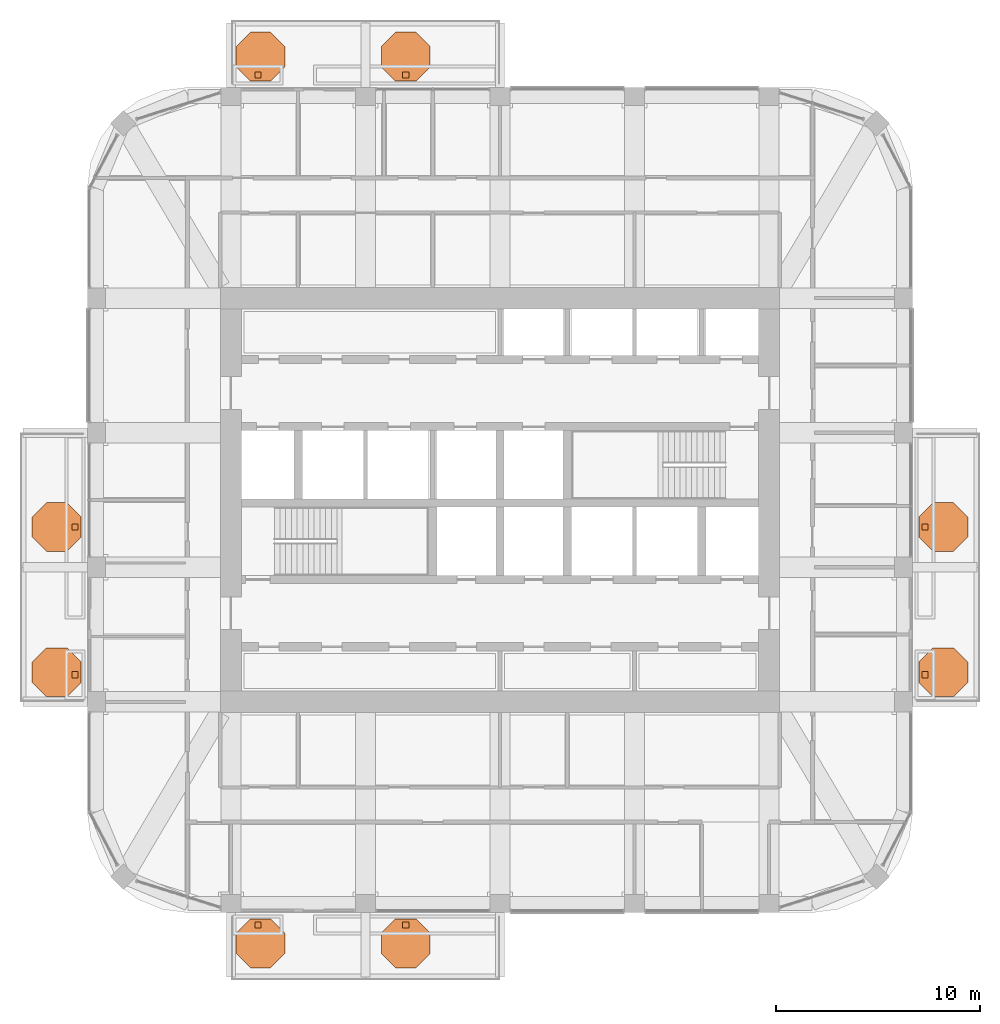
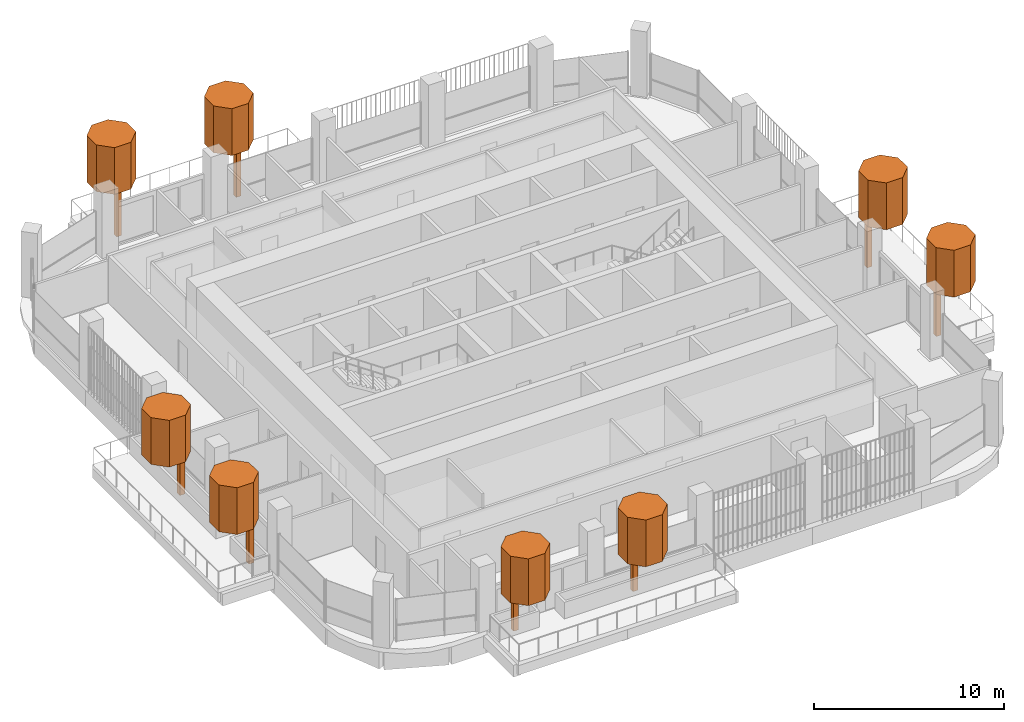
# One storey, part 20 of 20: 16 geographic elements.
"""IFC4 building model written with IfcOpenShell, lengths in metres."""

from ifc_helpers import new_model, si_unit, direction, frame, origin, origin_2d, place, context, subcontext, project, spatial, polyline, rectangle, outline, extrude, material, type_object, element, save


model = new_model("IFC4")

# Units and contexts
model_context = context("Model", 3, precision=1e-05, world=origin(), true_north=direction((0.0, 1.0)))
body_context = subcontext(model_context, "Body", "Model", "MODEL_VIEW")
ifc_project = project(units=[si_unit("LENGTHUNIT", "METRE"), si_unit("AREAUNIT", "SQUARE_METRE"), si_unit("VOLUMEUNIT", "CUBIC_METRE"), si_unit("PLANEANGLEUNIT", "RADIAN"), si_unit("MASSUNIT", "GRAM", prefix="KILO")], contexts=[model_context])

# Site, building, storey
site_placement = place(None, origin())
site = spatial("IfcSite", under=ifc_project, at=site_placement, CompositionType="ELEMENT")
building_placement = place(site_placement, origin())
building = spatial("IfcBuilding", under=site, at=building_placement, Name="Cobogo Forest Laboratory Tower", CompositionType="ELEMENT")
storey_placement = place(building_placement, frame((0.0, 0.0, 279.60009765625)))
storey = spatial("IfcBuildingStorey", under=building, at=storey_placement, Name="L64", CompositionType="ELEMENT", Elevation=279.60009765625)

# Geographic elements
ifc_material = material(Name="Planting", Category="plant")
geographic_element_type_1 = type_object("IfcGeographicElementType", Name="Tree trunk 300", PredefinedType="USERDEFINED", material=ifc_material)
for number, where, z_axis, x_axis, name in (
    (1, (14.52490234375, 2.25, 0.0), (0.0, 0.0, 1.0), (1.0, 0.0, 0.0), "Tree trunk BAL-S1-PL1 L64"),
    (2, (21.77490234375, 2.25, 0.0), (0.0, 0.0, 1.0), (1.0, 0.0, 0.0), "Tree trunk BAL-S1-PL2 L64"),
    (3, (47.25, 14.52490234375, 0.0), (0.0, 0.0, 1.0), (1.0, 0.0, 0.0), "Tree trunk BAL-E1-PL1 L64"),
    (4, (47.25, 21.77490234375, 0.0), (0.0, 0.0, 1.0), (1.0, 0.0, 0.0), "Tree trunk BAL-E1-PL2 L64"),
    (5, (14.52490234375, 43.949951171875, 0.0), (0.0, 0.0, 1.0), (1.0, 0.0, 0.0), "Tree trunk BAL-N1-PL1 L64"),
    (6, (21.77490234375, 43.949951171875, 0.0), (0.0, 0.0, 1.0), (1.0, 0.0, 0.0), "Tree trunk BAL-N1-PL2 L64"),
    (7, (5.550048828125, 14.52490234375, 0.0), (0.0, 0.0, 1.0), (1.0, 0.0, 0.0), "Tree trunk BAL-W1-PL1 L64"),
    (8, (5.550048828125, 21.77490234375, 0.0), (0.0, 0.0, 1.0), (1.0, 0.0, 0.0), "Tree trunk BAL-W1-PL2 L64"),
):
    element("IfcGeographicElement", number, at=place(storey_placement, frame(where, z_axis=z_axis, x_axis=x_axis)), inside=storey, type_object=geographic_element_type_1, Name=name, ObjectType="TREE TRUNK", PredefinedType="USERDEFINED", context=body_context, shape_type="SweptSolid", body=[
        extrude(rectangle(XDim=0.300048828125, YDim=0.300048828125, at=origin_2d()), origin(), (0.0, 0.0, 1.0), 2.89990234375),
    ])
geographic_element_type_2 = type_object("IfcGeographicElementType", Name="Tree, holm oak 5 m", PredefinedType="USERDEFINED", material=ifc_material)
geographic_element_1_placement = place(storey_placement, frame((0.0, 0.0, 2.89990234375)))
element("IfcGeographicElement", 9, at=geographic_element_1_placement, inside=storey, type_object=geographic_element_type_2, Name="Holm tree BAL-S1-PL1 L64", ObjectType="TREE", PredefinedType="USERDEFINED", context=body_context, shape_type="SweptSolid", body=[
    extrude(outline(polyline([(15.85009765625, 0.85302734375), (15.85009765625, 1.84716796875), (15.14697265625, 2.550048828125), (14.15283203125, 2.550048828125), (13.449951171875, 1.84716796875), (13.449951171875, 0.85302734375), (14.15283203125, 0.14990234375), (15.14697265625, 0.14990234375), (15.85009765625, 0.85302734375)])), origin(), (0.0, 0.0, 1.0), 3.0),
])
geographic_element_2_placement = place(storey_placement, frame((0.0, 0.0, 2.89990234375)))
element("IfcGeographicElement", 10, at=geographic_element_2_placement, inside=storey, type_object=geographic_element_type_2, Name="Holm tree BAL-S1-PL2 L64", ObjectType="TREE", PredefinedType="USERDEFINED", context=body_context, shape_type="SweptSolid", body=[
    extrude(outline(polyline([(22.97509765625, 0.85302734375), (22.97509765625, 1.84716796875), (22.27197265625, 2.550048828125), (21.27783203125, 2.550048828125), (20.574951171875, 1.84716796875), (20.574951171875, 0.85302734375), (21.27783203125, 0.14990234375), (22.27197265625, 0.14990234375), (22.97509765625, 0.85302734375)])), origin(), (0.0, 0.0, 1.0), 3.0),
])
geographic_element_3_placement = place(storey_placement, frame((0.0, 0.0, 2.89990234375)))
element("IfcGeographicElement", 11, at=geographic_element_3_placement, inside=storey, type_object=geographic_element_type_2, Name="Holm tree BAL-E1-PL1 L64", ObjectType="TREE", PredefinedType="USERDEFINED", context=body_context, shape_type="SweptSolid", body=[
    extrude(outline(polyline([(49.35009765625, 14.15283203125), (49.35009765625, 15.14697265625), (48.64697265625, 15.85009765625), (47.65283203125, 15.85009765625), (46.949951171875, 15.14697265625), (46.949951171875, 14.15283203125), (47.65283203125, 13.449951171875), (48.64697265625, 13.449951171875), (49.35009765625, 14.15283203125)])), origin(), (0.0, 0.0, 1.0), 3.0),
])
geographic_element_4_placement = place(storey_placement, frame((0.0, 0.0, 2.89990234375)))
element("IfcGeographicElement", 12, at=geographic_element_4_placement, inside=storey, type_object=geographic_element_type_2, Name="Holm tree BAL-E1-PL2 L64", ObjectType="TREE", PredefinedType="USERDEFINED", context=body_context, shape_type="SweptSolid", body=[
    extrude(outline(polyline([(49.35009765625, 21.27783203125), (49.35009765625, 22.27197265625), (48.64697265625, 22.97509765625), (47.65283203125, 22.97509765625), (46.949951171875, 22.27197265625), (46.949951171875, 21.27783203125), (47.65283203125, 20.574951171875), (48.64697265625, 20.574951171875), (49.35009765625, 21.27783203125)])), origin(), (0.0, 0.0, 1.0), 3.0),
])
geographic_element_5_placement = place(storey_placement, frame((0.0, 0.0, 2.89990234375)))
element("IfcGeographicElement", 13, at=geographic_element_5_placement, inside=storey, type_object=geographic_element_type_2, Name="Holm tree BAL-N1-PL1 L64", ObjectType="TREE", PredefinedType="USERDEFINED", context=body_context, shape_type="SweptSolid", body=[
    extrude(outline(polyline([(15.85009765625, 44.35302734375), (15.85009765625, 45.34716796875), (15.14697265625, 46.050048828125), (14.15283203125, 46.050048828125), (13.449951171875, 45.34716796875), (13.449951171875, 44.35302734375), (14.15283203125, 43.64990234375), (15.14697265625, 43.64990234375), (15.85009765625, 44.35302734375)])), origin(), (0.0, 0.0, 1.0), 3.0),
])
geographic_element_6_placement = place(storey_placement, frame((0.0, 0.0, 2.89990234375)))
element("IfcGeographicElement", 14, at=geographic_element_6_placement, inside=storey, type_object=geographic_element_type_2, Name="Holm tree BAL-N1-PL2 L64", ObjectType="TREE", PredefinedType="USERDEFINED", context=body_context, shape_type="SweptSolid", body=[
    extrude(outline(polyline([(22.97509765625, 44.35302734375), (22.97509765625, 45.34716796875), (22.27197265625, 46.050048828125), (21.27783203125, 46.050048828125), (20.574951171875, 45.34716796875), (20.574951171875, 44.35302734375), (21.27783203125, 43.64990234375), (22.27197265625, 43.64990234375), (22.97509765625, 44.35302734375)])), origin(), (0.0, 0.0, 1.0), 3.0),
])
geographic_element_7_placement = place(storey_placement, frame((0.0, 0.0, 2.89990234375)))
element("IfcGeographicElement", 15, at=geographic_element_7_placement, inside=storey, type_object=geographic_element_type_2, Name="Holm tree BAL-W1-PL1 L64", ObjectType="TREE", PredefinedType="USERDEFINED", context=body_context, shape_type="SweptSolid", body=[
    extrude(outline(polyline([(5.85009765625, 14.15283203125), (5.85009765625, 15.14697265625), (5.14697265625, 15.85009765625), (4.15283203125, 15.85009765625), (3.449951171875, 15.14697265625), (3.449951171875, 14.15283203125), (4.15283203125, 13.449951171875), (5.14697265625, 13.449951171875), (5.85009765625, 14.15283203125)])), origin(), (0.0, 0.0, 1.0), 3.0),
])
geographic_element_8_placement = place(storey_placement, frame((0.0, 0.0, 2.89990234375)))
element("IfcGeographicElement", 16, at=geographic_element_8_placement, inside=storey, type_object=geographic_element_type_2, Name="Holm tree BAL-W1-PL2 L64", ObjectType="TREE", PredefinedType="USERDEFINED", context=body_context, shape_type="SweptSolid", body=[
    extrude(outline(polyline([(5.85009765625, 21.27783203125), (5.85009765625, 22.27197265625), (5.14697265625, 22.97509765625), (4.15283203125, 22.97509765625), (3.449951171875, 22.27197265625), (3.449951171875, 21.27783203125), (4.15283203125, 20.574951171875), (5.14697265625, 20.574951171875), (5.85009765625, 21.27783203125)])), origin(), (0.0, 0.0, 1.0), 3.0),
])

save(model, "model.ifc")
